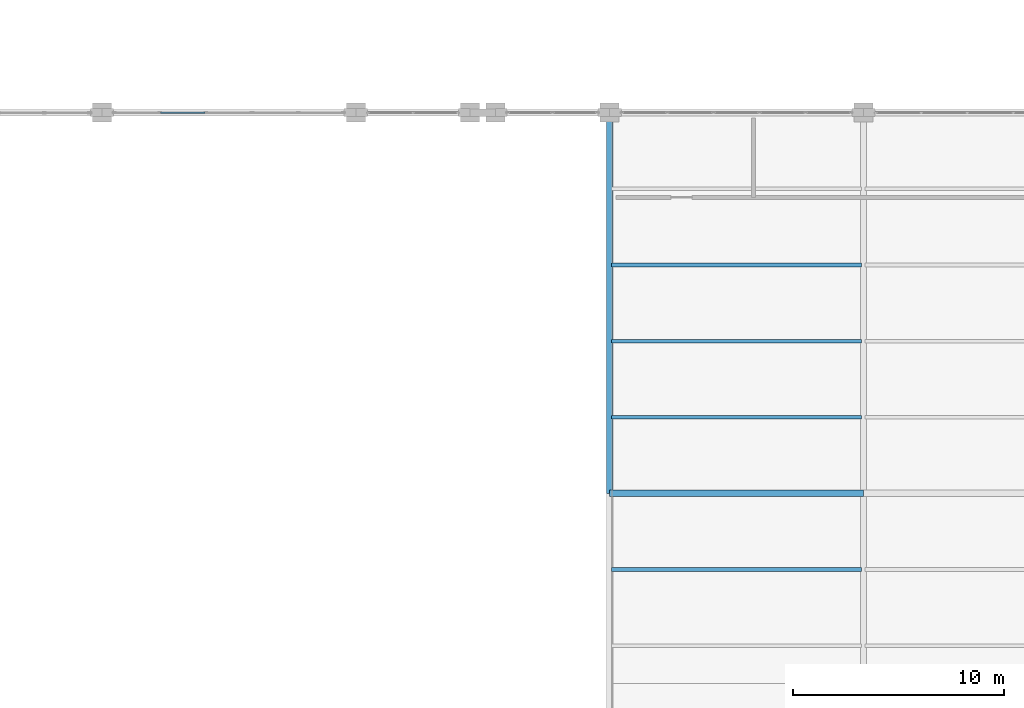
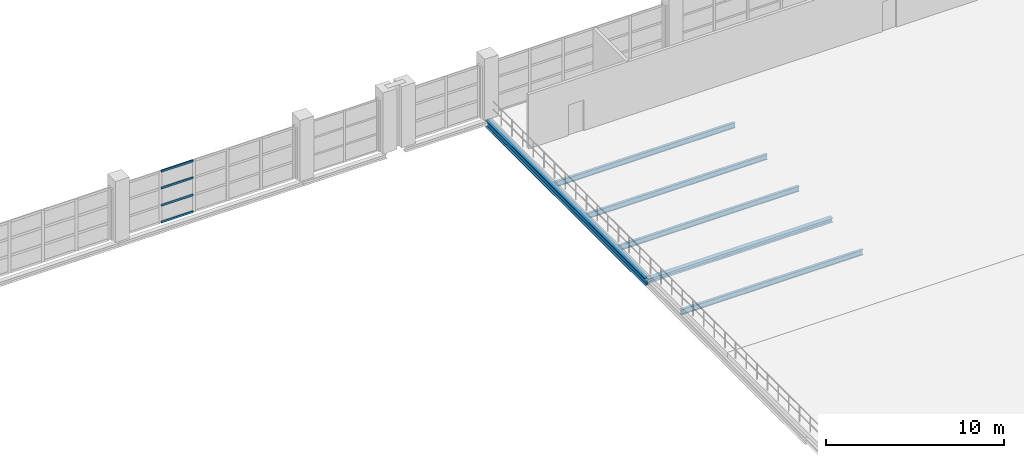
# One storey, part 75 of 158: 6 beams, 4 members, 1 element without a shape of its own.
"""IFC4 building model written with IfcOpenShell, lengths in metres."""

import ifcopenshell
import ifcopenshell.guid

model = None  # the IFC model being written
_history = None  # IfcOwnerHistory: only IFC2X3 demands one
_inside = {}  # id of a spatial element -> (the spatial element, [elements in it])
_under = {}  # id of a project, library or spatial element -> (it, [spatial elements below it])
_declared = {}  # id of a project -> (the project, [libraries it declares])
_typed = {}  # id of a type object -> (the type object, [elements of that type])
_made_of = {}  # id of a material, layer set ... -> (it, [elements and type objects made of it])


def new_model(schema):
    """Start an empty IFC model of exactly this schema.

    Asked for "IFC4X3", IfcOpenShell would pick the latest addendum, in which some entities
    have other attributes; the version numbers below select the first issue.
    IFC2X3 requires an IfcOwnerHistory on every rooted entity: one is made here for all.
    """
    global model, _history
    if schema == "IFC4X3":
        model = ifcopenshell.file(schema_version=(4, 3, 0, 0))
    else:
        model = ifcopenshell.file(schema=schema)
    _inside.clear()
    _under.clear()
    _declared.clear()
    _typed.clear()
    _made_of.clear()
    _history = None
    if model.schema == "IFC2X3":
        org = make("IfcOrganization", Name="unknown")
        user = make(
            "IfcPersonAndOrganization",
            ThePerson=make("IfcPerson", FamilyName="unknown"),
            TheOrganization=org,
        )
        app = make(
            "IfcApplication",
            ApplicationDeveloper=org,
            Version="unknown",
            ApplicationFullName="unknown",
            ApplicationIdentifier="unknown",
        )
        _history = make(
            "IfcOwnerHistory",
            OwningUser=user,
            OwningApplication=app,
            ChangeAction="ADDED",
            CreationDate=0,
        )
    return model


def make(cls, **values):
    """One entity of the class cls with the attributes given. An attribute that is None is left unset."""
    return model.create_entity(
        cls, **{name: value for name, value in values.items() if value is not None}
    )


def rooted(cls, **values):
    """An entity with a GlobalId (a new one), such as an element, a storey or a relation."""
    return make(cls, GlobalId=ifcopenshell.guid.new(), OwnerHistory=_history, **values)


def si_unit(unit_type, name, prefix=None):
    """IfcSIUnit, for example si_unit("LENGTHUNIT", "METRE", prefix="MILLI")."""
    return make("IfcSIUnit", UnitType=unit_type, Prefix=prefix, Name=name)


def assignment(units):
    """IfcUnitAssignment: the units of a project."""
    return None if units is None else make("IfcUnitAssignment", Units=units)


def point(xyz):
    """IfcCartesianPoint."""
    return None if xyz is None else make("IfcCartesianPoint", Coordinates=xyz)


def direction(xyz):
    """IfcDirection."""
    return None if xyz is None else make("IfcDirection", DirectionRatios=xyz)


def frame(location, z_axis=None, x_axis=None):
    """IfcAxis2Placement3D, a coordinate frame: its origin and axes. An axis left out is left unset."""
    return make(
        "IfcAxis2Placement3D",
        Location=point(location),
        Axis=direction(z_axis),
        RefDirection=direction(x_axis),
    )


def frame_2d(location, x_axis=None):
    """IfcAxis2Placement2D, a coordinate frame in the plane: its origin and x axis."""
    return make(
        "IfcAxis2Placement2D", Location=point(location), RefDirection=direction(x_axis)
    )


def origin():
    """The frame at (0, 0, 0) with its axes left unset."""
    return frame((0.0, 0.0, 0.0))


def origin_2d():
    """The frame at (0, 0) in the plane with its x axis left unset."""
    return frame_2d((0.0, 0.0))


def place(relative_to, where):
    """IfcLocalPlacement: puts the frame where relative to a parent placement (None: the world)."""
    return make(
        "IfcLocalPlacement", PlacementRelTo=relative_to, RelativePlacement=where
    )


def context(
    kind, dimensions, precision=None, world=None, true_north=None, identifier=None
):
    """IfcGeometricRepresentationContext, for example the 3D "Model" context."""
    return make(
        "IfcGeometricRepresentationContext",
        ContextIdentifier=identifier,
        ContextType=kind,
        CoordinateSpaceDimension=dimensions,
        Precision=precision,
        WorldCoordinateSystem=world,
        TrueNorth=true_north,
    )


def subcontext(parent, identifier, kind, view, scale=None):
    """IfcGeometricRepresentationSubContext, for example "Body" below "Model"."""
    return make(
        "IfcGeometricRepresentationSubContext",
        ContextIdentifier=identifier,
        ContextType=kind,
        ParentContext=parent,
        TargetScale=scale,
        TargetView=view,
    )


def project(units=None, contexts=None):
    """IfcProject with its units and contexts."""
    return rooted(
        "IfcProject",
        Name="project",
        RepresentationContexts=contexts,
        UnitsInContext=assignment(units),
    )


def spatial(cls, under=None, at=None, **own):
    """A site, building, storey or space (cls), placed at a placement, below another one or the project."""
    s = rooted(cls, ObjectPlacement=at, **own)
    if under is not None:
        _under.setdefault(under.id(), (under, []))[1].append(s)
    return s


def profile(cls, at=None, kind="AREA", **sizes):
    """A parametric profile (cls). Its sizes go by their IFC names, for example OverallWidth=200.0."""
    return make(cls, ProfileType=kind, Position=at, **sizes)


def hollow_rectangle(**sizes):
    """IfcRectangleHollowProfileDef."""
    return profile("IfcRectangleHollowProfileDef", **sizes)


def i_section(**sizes):
    """IfcIShapeProfileDef."""
    return profile("IfcIShapeProfileDef", **sizes)


def extrude(swept, where, along, depth):
    """IfcExtrudedAreaSolid: the profile swept, set in the frame where, extruded along a direction by depth."""
    return make(
        "IfcExtrudedAreaSolid",
        SweptArea=swept,
        Position=where,
        ExtrudedDirection=direction(along),
        Depth=depth,
    )


def shape(context_of_items, identifier, shape_type, items):
    """IfcShapeRepresentation: the items that make up one representation, for example the "Body"."""
    return make(
        "IfcShapeRepresentation",
        ContextOfItems=context_of_items,
        RepresentationIdentifier=identifier,
        RepresentationType=shape_type,
        Items=items,
    )


def material(Name=None, Category=None):
    """IfcMaterial."""
    return make("IfcMaterial", Name=Name, Category=Category)


def layer(
    of_material, thickness, ventilated=None, Name=None, Category=None, Priority=None
):
    """IfcMaterialLayer: one layer of a wall or slab, of a material (None: an air gap)."""
    return make(
        "IfcMaterialLayer",
        Material=of_material,
        LayerThickness=thickness,
        IsVentilated=ventilated,
        Name=Name,
        Category=Category,
        Priority=Priority,
    )


def layer_set(layers, Name=None):
    """IfcMaterialLayerSet."""
    return make("IfcMaterialLayerSet", MaterialLayers=layers, LayerSetName=Name)


def material_profile(
    of_material, cross_section, Name=None, Category=None, Priority=None
):
    """IfcMaterialProfile: a cross section and its material."""
    return make(
        "IfcMaterialProfile",
        Name=Name,
        Material=of_material,
        Profile=cross_section,
        Priority=Priority,
        Category=Category,
    )


def profile_set(profiles, Name=None, composite=None):
    """IfcMaterialProfileSet."""
    return make(
        "IfcMaterialProfileSet",
        Name=Name,
        MaterialProfiles=profiles,
        CompositeProfile=composite,
    )


def made_of(thing, what):
    """Note that an element or type object is made of a material, layer set ...; save() writes the relation."""
    if what is not None:
        _made_of.setdefault(what.id(), (what, []))[1].append(thing)
    return thing


def type_object(cls, material=None, **own):
    """A type object (cls), such as IfcWallType, which elements share."""
    return made_of(rooted(cls, **own), material)


def element(
    cls,
    number,
    at=None,
    inside=None,
    cuts=None,
    type_object=None,
    material=None,
    context=None,
    identifier="Body",
    shape_type=None,
    held_by="IfcProductDefinitionShape",
    body=None,
    shapes=None,
    **own,
):
    """One element of the class cls, such as IfcWall. Its Tag is "e" and its number.

    at: its placement. inside: the storey or other place that contains it. cuts: it is an
    opening in that element (IfcRelVoidsElement). A single representation is given by context,
    identifier, shape_type and body (its items); several are given by shapes. held_by: the class
    of the entity that holds the representations. save() writes the other relations.
    """
    e = rooted(cls, Tag="e%d" % number, ObjectPlacement=at, **own)
    if body is not None:
        shapes = [shape(context, identifier, shape_type, body)]
    if shapes is not None:
        e.Representation = make(held_by, Representations=shapes)
    if inside is not None:
        _inside.setdefault(inside.id(), (inside, []))[1].append(e)
    if cuts is not None:
        rooted(
            "IfcRelVoidsElement", RelatingBuildingElement=cuts, RelatedOpeningElement=e
        )
    if type_object is not None:
        _typed.setdefault(type_object.id(), (type_object, []))[1].append(e)
    return made_of(e, material)


def aggregate(whole, parts):
    """IfcRelAggregates: a whole, such as a stair, and the parts it consists of."""
    return rooted("IfcRelAggregates", RelatingObject=whole, RelatedObjects=parts)


def save(model, path):
    """Write the relations noted so far, then the file.

    IfcRelAggregates (storeys below a building ...), IfcRelContainedInSpatialStructure (elements
    in a storey), IfcRelDefinesByType, IfcRelAssociatesMaterial and IfcRelDeclares: one each for
    every whole, place, type object, material and project.
    """
    for whole, parts in _under.values():
        aggregate(whole, parts)
    for where, things in _inside.values():
        rooted(
            "IfcRelContainedInSpatialStructure",
            RelatedElements=things,
            RelatingStructure=where,
        )
    for kind, things in _typed.values():
        rooted("IfcRelDefinesByType", RelatedObjects=things, RelatingType=kind)
    for what, things in _made_of.values():
        rooted("IfcRelAssociatesMaterial", RelatedObjects=things, RelatingMaterial=what)
    for by, libraries in _declared.values():
        rooted("IfcRelDeclares", RelatingContext=by, RelatedDefinitions=libraries)
    model.write(path)


model = new_model("IFC4")

# Units and contexts
model_context = context("Model", 3, precision=1e-05, world=origin(), true_north=direction((0.0, 1.0)))
body_context = subcontext(model_context, "Body", "Model", "MODEL_VIEW")
ifc_project = project(units=[si_unit("LENGTHUNIT", "METRE"), si_unit("AREAUNIT", "SQUARE_METRE"), si_unit("VOLUMEUNIT", "CUBIC_METRE"), si_unit("PLANEANGLEUNIT", "RADIAN"), si_unit("MASSUNIT", "GRAM", prefix="KILO")], contexts=[model_context])

# Site, building, storey
site_placement = place(None, origin())
site = spatial("IfcSite", under=ifc_project, at=site_placement, CompositionType="ELEMENT")
building_placement = place(site_placement, origin())
building = spatial("IfcBuilding", under=site, at=building_placement, Name="Zilviju Railside Exhibition Hall", CompositionType="ELEMENT")
storey_placement = place(building_placement, frame((0.0, 0.0, 4.199951171875)))
storey = spatial("IfcBuildingStorey", under=building, at=storey_placement, Name="L02", CompositionType="ELEMENT", Elevation=4.199951171875)

# Beams
ifc_material_1 = material(Name="Steel S355J2", Category="steel")
ifc_material_profile_1 = material_profile(ifc_material_1, i_section(OverallWidth=0.300048828125, OverallDepth=0.2900390625, WebThickness=0.008544921875, FlangeThickness=0.013916015625, at=origin_2d()), Name="HEA 300")
ifc_profile_set_1 = profile_set([ifc_material_profile_1], Name="Steel S355J2")
beam_type_1 = type_object("IfcBeamType", Name="BM-HEA300", PredefinedType="SPANDREL", material=ifc_profile_set_1)
beam_1_placement = place(storey_placement, frame((180.0, 36.0, -0.474853515625), z_axis=(1.0, 0.0, 0.0), x_axis=(0.0, 1.0, 0.0)))
element("IfcBeam", 1, at=beam_1_placement, inside=storey, type_object=beam_type_1, Name="Primary Girder L02 Y=36.0 (180.0..192.0)", PredefinedType="SPANDREL", context=body_context, shape_type="SweptSolid", body=[
    extrude(i_section(OverallWidth=0.300048828125, OverallDepth=0.2900390625, WebThickness=0.008544921875, FlangeThickness=0.013916015625, at=origin_2d()), origin(), (0.0, 0.0, 1.0), 12.0),
])
ifc_material_profile_2 = material_profile(ifc_material_1, i_section(OverallWidth=0.300048828125, OverallDepth=0.5, WebThickness=0.014404296875, FlangeThickness=0.028076171875, at=origin_2d()), Name="HEB 500")
ifc_profile_set_2 = profile_set([ifc_material_profile_2], Name="Steel S355J2")
beam_type_2 = type_object("IfcBeamType", Name="BM-HEB500", PredefinedType="BEAM", material=ifc_profile_set_2)
beam_2_placement = place(storey_placement, frame((180.0, 36.0, -0.579833984375), z_axis=(0.0, 1.0, 0.0), x_axis=(-1.0, 0.0, 0.0)))
element("IfcBeam", 2, at=beam_2_placement, inside=storey, type_object=beam_type_2, Name="Transverse Girder L02 X=180.0 (36.0..54.0)", PredefinedType="BEAM", context=body_context, shape_type="SweptSolid", body=[
    extrude(i_section(OverallWidth=0.300048828125, OverallDepth=0.5, WebThickness=0.014404296875, FlangeThickness=0.028076171875, at=origin_2d()), origin(), (0.0, 0.0, 1.0), 18.0),
])
ifc_material_profile_3 = material_profile(ifc_material_1, i_section(OverallWidth=0.169921875, OverallDepth=0.360107421875, WebThickness=0.008056640625, FlangeThickness=0.0126953125, at=origin_2d()), Name="IPE 360")
ifc_profile_set_3 = profile_set([ifc_material_profile_3], Name="Steel S355J2")
beam_type_3 = type_object("IfcBeamType", Name="BM-IPE360", PredefinedType="JOIST", material=ifc_profile_set_3)
for number, where, z_axis, x_axis, name in (
    (3, (180.080078125, 32.39990234375, -0.510009765625), (1.0, 0.0, 0.0), (0.0, 1.0, 0.0), "Composite Floor Joist L02 Y=32.40 (180.0..192.0)"),
    (4, (180.080078125, 39.60009765625, -0.510009765625), (1.0, 0.0, 0.0), (0.0, 1.0, 0.0), "Composite Floor Joist L02 Y=39.60 (180.0..192.0)"),
    (5, (180.080078125, 43.199951171875, -0.510009765625), (1.0, 0.0, 0.0), (0.0, 1.0, 0.0), "Composite Floor Joist L02 Y=43.20 (180.0..192.0)"),
    (6, (180.080078125, 46.800048828125, -0.510009765625), (1.0, 0.0, 0.0), (0.0, 1.0, 0.0), "Composite Floor Joist L02 Y=46.80 (180.0..192.0)"),
):
    element("IfcBeam", number, at=place(storey_placement, frame(where, z_axis=z_axis, x_axis=x_axis)), inside=storey, type_object=beam_type_3, Name=name, PredefinedType="JOIST", context=body_context, shape_type="SweptSolid", body=[
        extrude(i_section(OverallWidth=0.169921875, OverallDepth=0.360107421875, WebThickness=0.008056640625, FlangeThickness=0.0126953125, at=origin_2d()), origin(), (0.0, 0.0, 1.0), 11.83984375),
    ])

# Curtain wall, members
ifc_material_2 = material(Name="Thermally broken aluminium-steel triple-glazed curtain wall", Category="steel")
ifc_layer = layer(ifc_material_2, 0.179931640625)
ifc_layer_set = layer_set([ifc_layer], Name="Thermally broken aluminium-steel triple-glazed curtain wall")
curtain_wall_type = type_object("IfcCurtainWallType", Name="CW-BAY-03", PredefinedType="USERDEFINED", material=ifc_layer_set)
curtain_wall_placement = place(storey_placement, origin())
curtain_wall = element("IfcCurtainWall", 7, at=curtain_wall_placement, inside=storey, type_object=curtain_wall_type, Name="South Hall Garden Court Curtain Wall L02 (156..168)", ObjectType="GLAZED CURTAIN WALL", PredefinedType="USERDEFINED")
ifc_material_3 = material(Name="Thermally broken anodized aluminium transom", Category="aluminium")
ifc_material_profile_4 = material_profile(ifc_material_3, hollow_rectangle(XDim=0.074951171875, YDim=0.139892578125, WallThickness=0.0048828125, at=origin_2d()), Name="TRANSOM 140x75x5")
ifc_profile_set_4 = profile_set([ifc_material_profile_4], Name="Thermally broken anodized aluminium transom")
member_type = type_object("IfcMemberType", Name="CWT-75x140", PredefinedType="USERDEFINED", material=ifc_profile_set_4)
member_1_placement = place(storey_placement, frame((158.767578125, 54.0, 0.03759765625), z_axis=(1.0, 0.0, 0.0), x_axis=(0.0, 1.0, 0.0)))
member_1 = element("IfcMember", 8, at=member_1_placement, type_object=member_type, Name="CW-03 transom 2.1", ObjectType="TRANSOM", PredefinedType="USERDEFINED", context=body_context, shape_type="SweptSolid", body=[
    extrude(hollow_rectangle(XDim=0.074951171875, YDim=0.139892578125, WallThickness=0.0048828125, at=origin_2d()), origin(), (0.0, 0.0, 1.0), 2.10498046875),
])
member_2_placement = place(storey_placement, frame((158.767578125, 54.0, 1.18701171875), z_axis=(1.0, 0.0, 0.0), x_axis=(0.0, 1.0, 0.0)))
member_2 = element("IfcMember", 9, at=member_2_placement, type_object=member_type, Name="CW-03 transom 2.2", ObjectType="TRANSOM", PredefinedType="USERDEFINED", context=body_context, shape_type="SweptSolid", body=[
    extrude(hollow_rectangle(XDim=0.074951171875, YDim=0.139892578125, WallThickness=0.0048828125, at=origin_2d()), origin(), (0.0, 0.0, 1.0), 2.10498046875),
])
member_3_placement = place(storey_placement, frame((158.767578125, 54.0, 2.373046875), z_axis=(1.0, 0.0, 0.0), x_axis=(0.0, 1.0, 0.0)))
member_3 = element("IfcMember", 10, at=member_3_placement, type_object=member_type, Name="CW-03 transom 2.3", ObjectType="TRANSOM", PredefinedType="USERDEFINED", context=body_context, shape_type="SweptSolid", body=[
    extrude(hollow_rectangle(XDim=0.074951171875, YDim=0.139892578125, WallThickness=0.0048828125, at=origin_2d()), origin(), (0.0, 0.0, 1.0), 2.10498046875),
])
member_4_placement = place(storey_placement, frame((158.767578125, 54.0, 3.5224609375), z_axis=(1.0, 0.0, 0.0), x_axis=(0.0, 1.0, 0.0)))
member_4 = element("IfcMember", 11, at=member_4_placement, type_object=member_type, Name="CW-03 transom 2.4", ObjectType="TRANSOM", PredefinedType="USERDEFINED", context=body_context, shape_type="SweptSolid", body=[
    extrude(hollow_rectangle(XDim=0.074951171875, YDim=0.139892578125, WallThickness=0.0048828125, at=origin_2d()), origin(), (0.0, 0.0, 1.0), 2.10498046875),
])
aggregate(curtain_wall, [member_1, member_2, member_3, member_4])

save(model, "model.ifc")
